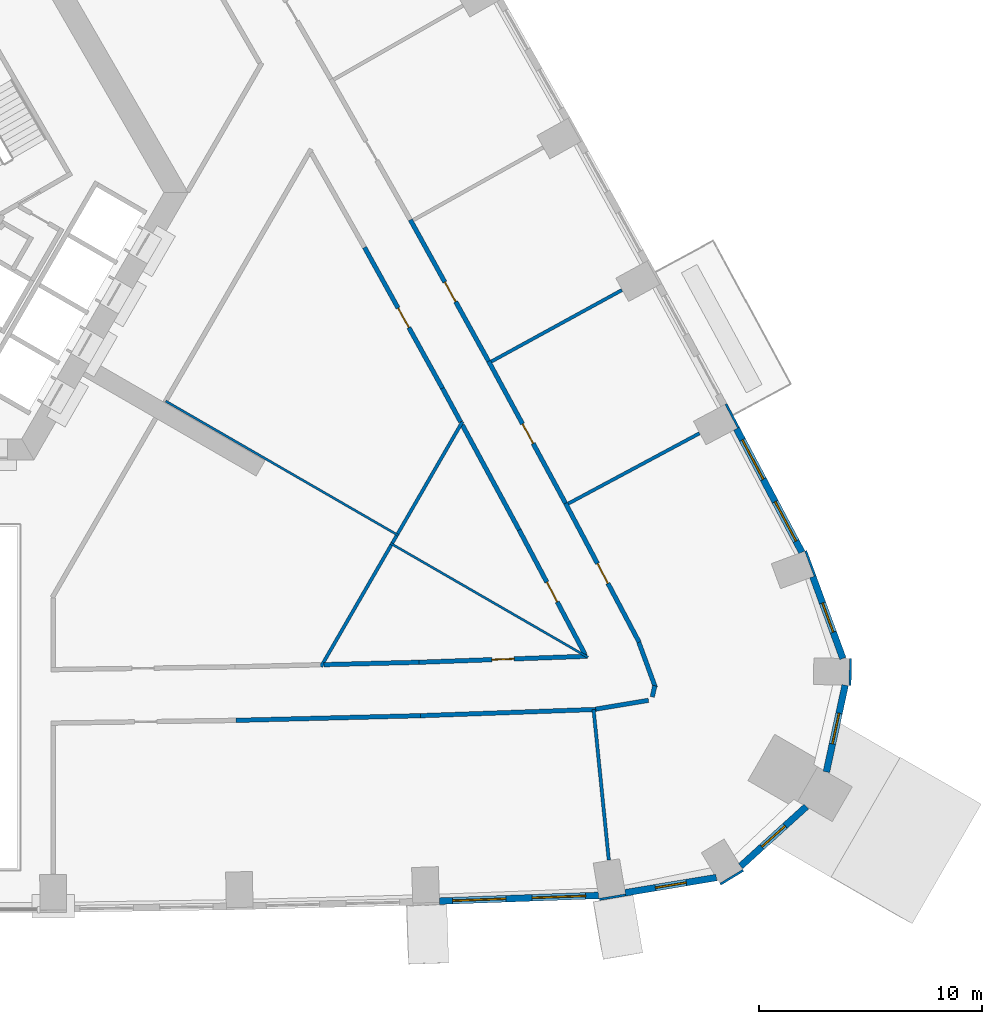
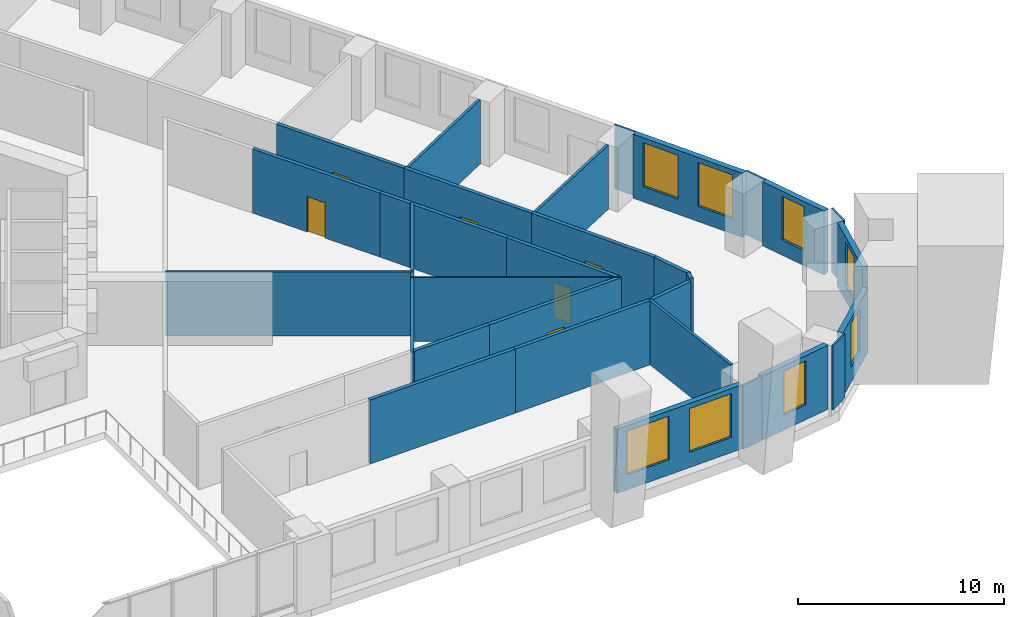
# One storey, part 10 of 17: 33 walls, 8 windows, 6 doors, 14 openings.
"""IFC4 building model written with IfcOpenShell, lengths in metres."""

from ifc_helpers import new_model, si_unit, direction, frame, frame_2d, origin, place, context, subcontext, project, spatial, rectangle, extrude, material, layer, layer_set, type_object, element, fill, save


model = new_model("IFC4")

# Units and contexts
model_context = context("Model", 3, precision=1e-05, world=origin(), true_north=direction((0.0, 1.0)))
body_context = subcontext(model_context, "Body", "Model", "MODEL_VIEW")
ifc_project = project(units=[si_unit("LENGTHUNIT", "METRE"), si_unit("AREAUNIT", "SQUARE_METRE"), si_unit("VOLUMEUNIT", "CUBIC_METRE"), si_unit("PLANEANGLEUNIT", "RADIAN"), si_unit("MASSUNIT", "GRAM", prefix="KILO")], contexts=[model_context])

# Site, building, storey
site_placement = place(None, origin())
site = spatial("IfcSite", under=ifc_project, at=site_placement, CompositionType="ELEMENT")
building_placement = place(site_placement, origin())
building = spatial("IfcBuilding", under=site, at=building_placement, Name="Entoto Arch Interchange Tower", CompositionType="ELEMENT")
storey_placement = place(building_placement, frame((0.0, 0.0, 72.800048828125)))
storey = spatial("IfcBuildingStorey", under=building, at=storey_placement, Name="L15", CompositionType="ELEMENT", Elevation=72.800048828125)

# Walls
ifc_material_1 = material(Name="Gypsum board partition on steel studs", Category="steel")
ifc_layer_1 = layer(ifc_material_1, 0.10009765625)
ifc_layer_set_1 = layer_set([ifc_layer_1], Name="Gypsum board partition on steel studs")
wall_type_1 = type_object("IfcWallType", Name="PARTITION 100", PredefinedType="PARTITIONING", material=ifc_layer_set_1)
wall_1_placement = place(storey_placement, frame((12.843017578125, -6.85498046875, 0.0), z_axis=(0.0, 0.0, 1.0), x_axis=(0.866054959007, -0.499948805358, 0.0)))
element("IfcWall", 1, at=wall_1_placement, inside=storey, type_object=wall_type_1, Name="wall:L15:p127", PredefinedType="PARTITIONING", context=body_context, shape_type="SweptSolid", body=[
    extrude(rectangle(XDim=12.075439453125, YDim=0.10009765625, at=frame_2d((6.03759765625, 0.0))), origin(), (0.0, 0.0, 1.0), 3.800048828125),
])
wall_2_placement = place(storey_placement, frame((22.928955078125, -13.235107421875, 0.0), z_axis=(0.0, 0.0, 1.0), x_axis=(0.866003823807, -0.500037375755, 0.0)))
element("IfcWall", 2, at=wall_2_placement, inside=storey, type_object=wall_type_1, Name="wall:L15:p131", PredefinedType="PARTITIONING", context=body_context, shape_type="SweptSolid", body=[
    extrude(rectangle(XDim=10.244873046875, YDim=0.10009765625, at=frame_2d((5.12255859375, 0.0))), origin(), (0.0, 0.0, 1.0), 3.800048828125),
])
ifc_layer_2 = layer(ifc_material_1, 0.14990234375)
ifc_layer_set_2 = layer_set([ifc_layer_2], Name="Gypsum board partition on steel studs")
wall_type_2 = type_object("IfcWallType", Name="PARTITION 150", PredefinedType="PARTITIONING", material=ifc_layer_set_2)
wall_3_placement = place(storey_placement, frame((22.968994140625, -13.31591796875, 0.0), z_axis=(0.0, 0.0, 1.0), x_axis=(-0.500007312183, -0.866021182053, 0.0)))
element("IfcWall", 3, at=wall_3_placement, inside=storey, type_object=wall_type_2, Name="wall:L15:p128", PredefinedType="PARTITIONING", context=body_context, shape_type="SweptSolid", body=[
    extrude(rectangle(XDim=6.30615234375, YDim=0.14990234375, at=frame_2d((3.153076171875, 0.0))), origin(), (0.0, 0.0, 1.0), 3.800048828125),
])
wall_4_placement = place(storey_placement, frame((23.2109375, -12.89794921875, 0.0), z_axis=(0.0, 0.0, 1.0), x_axis=(-0.501488909663, -0.865164073159, 0.0)))
element("IfcWall", 4, at=wall_4_placement, inside=storey, type_object=wall_type_2, Name="wall:L15:p129", PredefinedType="PARTITIONING", context=body_context, shape_type="SweptSolid", body=[
    extrude(rectangle(XDim=0.382568359375, YDim=0.14990234375, at=frame_2d((0.19140625, 0.0))), origin(), (0.0, 0.0, 1.0), 3.800048828125),
])
wall_5_placement = place(storey_placement, frame((26.172119140625, -7.76806640625, 0.0), z_axis=(0.0, 0.0, 1.0), x_axis=(-0.499945058274, -0.866057122081, 0.0)))
element("IfcWall", 5, at=wall_5_placement, inside=storey, type_object=wall_type_2, Name="wall:L15:p130", PredefinedType="PARTITIONING", context=body_context, shape_type="SweptSolid", body=[
    extrude(rectangle(XDim=5.822998046875, YDim=0.14990234375, at=frame_2d((2.91162109375, 0.0))), origin(), (0.0, 0.0, 1.0), 3.800048828125),
])
wall_6_placement = place(storey_placement, frame((32.053955078125, -20.701904296875, 0.0), z_axis=(0.0, 0.0, 1.0), x_axis=(0.100681219953, -0.994918736354, 0.0)))
element("IfcWall", 6, at=wall_6_placement, inside=storey, type_object=wall_type_2, Name="wall:L15:p132", PredefinedType="PARTITIONING", context=body_context, shape_type="SweptSolid", body=[
    extrude(rectangle(XDim=6.79443359375, YDim=0.14990234375, at=frame_2d((3.397216796875, 0.0))), origin(), (0.0, 0.0, 1.0), 3.800048828125),
])
wall_7_placement = place(storey_placement, frame((30.916015625, -11.4580078125, 0.0), z_axis=(0.0, 0.0, 1.0), x_axis=(0.881525059883, 0.472137235132, 0.0)))
element("IfcWall", 7, at=wall_7_placement, inside=storey, type_object=wall_type_2, Name="wall:L15:p133", PredefinedType="PARTITIONING", context=body_context, shape_type="SweptSolid", body=[
    extrude(rectangle(XDim=6.680419921875, YDim=0.14990234375, at=frame_2d((3.34033203125, 0.0))), origin(), (0.0, 0.0, 1.0), 3.800048828125),
])
wall_8_placement = place(storey_placement, frame((27.462890625, -5.080078125, 0.0), z_axis=(0.0, 0.0, 1.0), x_axis=(0.877227104806, 0.480075625911, 0.0)))
element("IfcWall", 8, at=wall_8_placement, inside=storey, type_object=wall_type_2, Name="wall:L15:p134", PredefinedType="PARTITIONING", context=body_context, shape_type="SweptSolid", body=[
    extrude(rectangle(XDim=6.68017578125, YDim=0.14990234375, at=frame_2d((3.340087890625, 0.0))), origin(), (0.0, 0.0, 1.0), 3.800048828125),
])
ifc_layer_3 = layer(ifc_material_1, 0.199951171875)
ifc_layer_set_3 = layer_set([ifc_layer_3], Name="Gypsum board partition on steel studs")
wall_type_3 = type_object("IfcWallType", Name="PARTITION 200", PredefinedType="PARTITIONING", material=ifc_layer_set_3)
wall_9_placement = place(storey_placement, frame((26.0859375, -7.7890625, 0.0), z_axis=(0.0, 0.0, 1.0), x_axis=(-0.475856505621, 0.879522930945, 0.0)))
element("IfcWall", 9, at=wall_9_placement, inside=storey, type_object=wall_type_3, Name="wall:L15:p022", PredefinedType="PARTITIONING", context=body_context, shape_type="SweptSolid", body=[
    extrude(rectangle(XDim=1.714599609375, YDim=0.199951171875, at=frame_2d((0.857421875, 0.0))), origin(), (0.0, 0.0, 1.0), 3.800048828125),
])

# Wall, opening, door
wall_10_placement = place(storey_placement, frame((25.27001953125, -6.281005859375, 0.0), z_axis=(0.0, 0.0, 1.0), x_axis=(-0.484062485326, 0.875033433818, 0.0)))
wall_10 = element("IfcWall", 10, at=wall_10_placement, inside=storey, type_object=wall_type_3, Name="wall:L15:p023", PredefinedType="PARTITIONING", context=body_context, shape_type="SweptSolid", body=[
    extrude(rectangle(XDim=7.23046875, YDim=0.199951171875, at=frame_2d((3.615234375, 0.0))), origin(), (0.0, 0.0, 1.0), 3.800048828125),
])
opening_1_placement = place(wall_10_placement, frame((3.114990234375, 0.0, 0.0)))
opening_1 = element("IfcOpeningElement", 11, at=opening_1_placement, cuts=wall_10, Name="Opening L15-D21", PredefinedType="OPENING", context=body_context, shape_type="SweptSolid", body=[
    extrude(rectangle(XDim=1.0, YDim=2.10009765625, at=frame_2d((0.5, 1.050048828125))), frame((0.0, 0.10986328125, 0.0), z_axis=(0.0, -1.0, 0.0), x_axis=(1.0, 0.0, 0.0)), (0.0, 0.0, 1.0), 0.219970703125),
])
ifc_material_2 = material(Name="Timber door leaf in Steel S235 frame", Category="steel")
door_type = type_object("IfcDoorType", Name="DOOR DS-10 1000x2100", OperationType="SINGLE_SWING_LEFT", PredefinedType="DOOR", material=ifc_material_2)
door_1_placement = place(opening_1_placement, origin())
door_1 = element("IfcDoor", 12, at=door_1_placement, inside=storey, type_object=door_type, Name="door:L15:21", OperationType="SINGLE_SWING_RIGHT", OverallHeight=2.10009765625, OverallWidth=1.0, PredefinedType="DOOR", context=body_context, shape_type="SweptSolid", body=[
    extrude(rectangle(XDim=1.0, YDim=2.10009765625, at=frame_2d((0.5, 1.050048828125))), frame((0.0, 0.02490234375, 0.0), z_axis=(0.0, -1.0, 0.0), x_axis=(1.0, 0.0, 0.0)), (0.0, 0.0, 1.0), 0.050048828125),
])
fill(opening_1, door_1)

# Wall
wall_11_placement = place(storey_placement, frame((19.94091796875, -18.68896484375, 0.0), z_axis=(0.0, 0.0, 1.0), x_axis=(0.999680388185, 0.025280852018, 0.0)))
element("IfcWall", 13, at=wall_11_placement, inside=storey, type_object=wall_type_3, Name="wall:L15:p025", PredefinedType="PARTITIONING", context=body_context, shape_type="SweptSolid", body=[
    extrude(rectangle(XDim=4.2685546875, YDim=0.199951171875, at=frame_2d((2.13427734375, 0.0))), origin(), (0.0, 0.0, 1.0), 3.800048828125),
])

# Wall, opening, door
wall_12_placement = place(storey_placement, frame((24.2080078125, -18.5810546875, 0.0), z_axis=(0.0, 0.0, 1.0), x_axis=(0.99936260762, 0.035698438215, 0.0)))
wall_12 = element("IfcWall", 14, at=wall_12_placement, inside=storey, type_object=wall_type_3, Name="wall:L15:p026", PredefinedType="PARTITIONING", context=body_context, shape_type="SweptSolid", body=[
    extrude(rectangle(XDim=7.56396484375, YDim=0.199951171875, at=frame_2d((3.781982421875, 0.0))), origin(), (0.0, 0.0, 1.0), 3.800048828125),
])
opening_2_placement = place(wall_12_placement, frame((3.281982421875, 0.0, 0.0)))
opening_2 = element("IfcOpeningElement", 15, at=opening_2_placement, cuts=wall_12, Name="Opening L15-D22", PredefinedType="OPENING", context=body_context, shape_type="SweptSolid", body=[
    extrude(rectangle(XDim=1.0, YDim=2.10009765625, at=frame_2d((0.5, 1.050048828125))), frame((0.0, 0.10986328125, 0.0), z_axis=(0.0, -1.0, 0.0), x_axis=(1.0, 0.0, 0.0)), (0.0, 0.0, 1.0), 0.219970703125),
])
door_2_placement = place(opening_2_placement, origin())
door_2 = element("IfcDoor", 16, at=door_2_placement, inside=storey, type_object=door_type, Name="door:L15:22", OperationType="SINGLE_SWING_LEFT", OverallHeight=2.10009765625, OverallWidth=1.0, PredefinedType="DOOR", context=body_context, shape_type="SweptSolid", body=[
    extrude(rectangle(XDim=1.0, YDim=2.10009765625, at=frame_2d((0.5, 1.050048828125))), frame((0.0, 0.02490234375, 0.0), z_axis=(0.0, -1.0, 0.0), x_axis=(1.0, 0.0, 0.0)), (0.0, 0.0, 1.0), 0.050048828125),
])
fill(opening_2, door_2)

wall_13_placement = place(storey_placement, frame((31.66796875, -18.218994140625, 0.0), z_axis=(0.0, 0.0, 1.0), x_axis=(-0.468058220157, 0.883697630722, 0.0)))
wall_13 = element("IfcWall", 17, at=wall_13_placement, inside=storey, type_object=wall_type_3, Name="wall:L15:p027", PredefinedType="PARTITIONING", context=body_context, shape_type="SweptSolid", body=[
    extrude(rectangle(XDim=6.315673828125, YDim=0.199951171875, at=frame_2d((3.15771484375, 0.0))), origin(), (0.0, 0.0, 1.0), 3.800048828125),
])
opening_3_placement = place(wall_13_placement, frame((2.657958984375, 0.0, 0.0)))
opening_3 = element("IfcOpeningElement", 18, at=opening_3_placement, cuts=wall_13, Name="Opening L15-D23", PredefinedType="OPENING", context=body_context, shape_type="SweptSolid", body=[
    extrude(rectangle(XDim=1.0, YDim=2.10009765625, at=frame_2d((0.5, 1.050048828125))), frame((0.0, 0.10986328125, 0.0), z_axis=(0.0, -1.0, 0.0), x_axis=(1.0, 0.0, 0.0)), (0.0, 0.0, 1.0), 0.219970703125),
])
door_3_placement = place(opening_3_placement, origin())
door_3 = element("IfcDoor", 19, at=door_3_placement, inside=storey, type_object=door_type, Name="door:L15:23", OperationType="SINGLE_SWING_LEFT", OverallHeight=2.10009765625, OverallWidth=1.0, PredefinedType="DOOR", context=body_context, shape_type="SweptSolid", body=[
    extrude(rectangle(XDim=1.0, YDim=2.10009765625, at=frame_2d((0.5, 1.050048828125))), frame((0.0, 0.02490234375, 0.0), z_axis=(0.0, -1.0, 0.0), x_axis=(1.0, 0.0, 0.0)), (0.0, 0.0, 1.0), 0.050048828125),
])
fill(opening_3, door_3)

# Walls
wall_14_placement = place(storey_placement, frame((28.7119140625, -12.637939453125, 0.0), z_axis=(0.0, 0.0, 1.0), x_axis=(-0.476123321927, 0.8793785205, 0.0)))
element("IfcWall", 20, at=wall_14_placement, inside=storey, type_object=wall_type_3, Name="wall:L15:p028", PredefinedType="PARTITIONING", context=body_context, shape_type="SweptSolid", body=[
    extrude(rectangle(XDim=5.364013671875, YDim=0.199951171875, at=frame_2d((2.68212890625, 0.0))), origin(), (0.0, 0.0, 1.0), 3.800048828125),
])
wall_15_placement = place(storey_placement, frame((32.154052734375, -20.698974609375, 0.0), z_axis=(0.0, 0.0, 1.0), x_axis=(-0.999363643656, -0.035669423029, 0.0)))
element("IfcWall", 21, at=wall_15_placement, inside=storey, type_object=wall_type_3, Name="wall:L15:p038", PredefinedType="PARTITIONING", context=body_context, shape_type="SweptSolid", body=[
    extrude(rectangle(XDim=7.878173828125, YDim=0.199951171875, at=frame_2d((3.93896484375, 0.0))), origin(), (0.0, 0.0, 1.0), 3.800048828125),
])
wall_16_placement = place(storey_placement, frame((24.281005859375, -20.97998046875, 0.0), z_axis=(0.0, 0.0, 1.0), x_axis=(-0.999681784235, -0.025225587575, 0.0)))
element("IfcWall", 22, at=wall_16_placement, inside=storey, type_object=wall_type_3, Name="wall:L15:p039", PredefinedType="PARTITIONING", context=body_context, shape_type="SweptSolid", body=[
    extrude(rectangle(XDim=8.28466796875, YDim=0.199951171875, at=frame_2d((4.142333984375, 0.0))), origin(), (0.0, 0.0, 1.0), 3.800048828125),
])

# Wall, opening, door
wall_17_placement = place(storey_placement, frame((30.79296875, -11.43896484375, 0.0), z_axis=(0.0, 0.0, 1.0), x_axis=(0.468043291185, -0.883705537822, 0.0)))
wall_17 = element("IfcWall", 23, at=wall_17_placement, inside=storey, type_object=wall_type_3, Name="wall:L15:p041", PredefinedType="PARTITIONING", context=body_context, shape_type="SweptSolid", body=[
    extrude(rectangle(XDim=7.06591796875, YDim=0.199951171875, at=frame_2d((3.532958984375, 0.0))), origin(), (0.0, 0.0, 1.0), 3.800048828125),
])
opening_4_placement = place(wall_17_placement, frame((3.071044921875, 0.0, 0.0)))
opening_4 = element("IfcOpeningElement", 24, at=opening_4_placement, cuts=wall_17, Name="Opening L15-D02", PredefinedType="OPENING", context=body_context, shape_type="SweptSolid", body=[
    extrude(rectangle(XDim=1.0, YDim=2.10009765625, at=frame_2d((0.5, 1.050048828125))), frame((0.0, 0.10986328125, 0.0), z_axis=(0.0, -1.0, 0.0), x_axis=(1.0, 0.0, 0.0)), (0.0, 0.0, 1.0), 0.219970703125),
])
door_4_placement = place(opening_4_placement, origin())
door_4 = element("IfcDoor", 25, at=door_4_placement, inside=storey, type_object=door_type, Name="door:L15:02", OperationType="SINGLE_SWING_RIGHT", OverallHeight=2.10009765625, OverallWidth=1.0, PredefinedType="DOOR", context=body_context, shape_type="SweptSolid", body=[
    extrude(rectangle(XDim=1.0, YDim=2.10009765625, at=frame_2d((0.5, 1.050048828125))), frame((0.0, 0.02490234375, 0.0), z_axis=(0.0, -1.0, 0.0), x_axis=(1.0, 0.0, 0.0)), (0.0, 0.0, 1.0), 0.050048828125),
])
fill(opening_4, door_4)

# Walls
wall_18_placement = place(storey_placement, frame((34.087890625, -17.68896484375, 0.0), z_axis=(0.0, 0.0, 1.0), x_axis=(0.34459875492, -0.938750072228, 0.0)))
element("IfcWall", 26, at=wall_18_placement, inside=storey, type_object=wall_type_3, Name="wall:L15:p042", PredefinedType="PARTITIONING", context=body_context, shape_type="SweptSolid", body=[
    extrude(rectangle(XDim=2.16796875, YDim=0.199951171875, at=frame_2d((1.083984375, 0.0))), origin(), (0.0, 0.0, 1.0), 3.800048828125),
])
wall_19_placement = place(storey_placement, frame((34.801025390625, -19.631103515625, 0.0), z_axis=(0.0, 0.0, 1.0), x_axis=(-0.212292845768, -0.977206092713, 0.0)))
element("IfcWall", 27, at=wall_19_placement, inside=storey, type_object=wall_type_3, Name="wall:L15:p043", PredefinedType="PARTITIONING", context=body_context, shape_type="SweptSolid", body=[
    extrude(rectangle(XDim=0.5185546875, YDim=0.199951171875, at=frame_2d((0.25927734375, 0.0))), origin(), (0.0, 0.0, 1.0), 3.800048828125),
])
wall_20_placement = place(storey_placement, frame((34.51806640625, -20.2890625, 0.0), z_axis=(0.0, 0.0, 1.0), x_axis=(-0.986214562432, -0.165471559025, 0.0)))
element("IfcWall", 28, at=wall_20_placement, inside=storey, type_object=wall_type_3, Name="wall:L15:p044", PredefinedType="PARTITIONING", context=body_context, shape_type="SweptSolid", body=[
    extrude(rectangle(XDim=2.39892578125, YDim=0.199951171875, at=frame_2d((1.199462890625, 0.0))), origin(), (0.0, 0.0, 1.0), 3.800048828125),
])

# Wall, opening, door
wall_21_placement = place(storey_placement, frame((27.339111328125, -5.06201171875, 0.0), z_axis=(0.0, 0.0, 1.0), x_axis=(0.476248444599, -0.879310763619, 0.0)))
wall_21 = element("IfcWall", 29, at=wall_21_placement, inside=storey, type_object=wall_type_3, Name="wall:L15:p045", PredefinedType="PARTITIONING", context=body_context, shape_type="SweptSolid", body=[
    extrude(rectangle(XDim=7.252197265625, YDim=0.199951171875, at=frame_2d((3.6259765625, 0.0))), origin(), (0.0, 0.0, 1.0), 3.800048828125),
])
opening_5_placement = place(wall_21_placement, frame((3.200927734375, 0.0, 0.0)))
opening_5 = element("IfcOpeningElement", 30, at=opening_5_placement, cuts=wall_21, Name="Opening L15-D03", PredefinedType="OPENING", context=body_context, shape_type="SweptSolid", body=[
    extrude(rectangle(XDim=1.0, YDim=2.10009765625, at=frame_2d((0.5, 1.050048828125))), frame((0.0, 0.10986328125, 0.0), z_axis=(0.0, -1.0, 0.0), x_axis=(1.0, 0.0, 0.0)), (0.0, 0.0, 1.0), 0.219970703125),
])
door_5_placement = place(opening_5_placement, origin())
door_5 = element("IfcDoor", 31, at=door_5_placement, inside=storey, type_object=door_type, Name="door:L15:03", OperationType="SINGLE_SWING_LEFT", OverallHeight=2.10009765625, OverallWidth=1.0, PredefinedType="DOOR", context=body_context, shape_type="SweptSolid", body=[
    extrude(rectangle(XDim=1.0, YDim=2.10009765625, at=frame_2d((0.5, 1.050048828125))), frame((0.0, 0.02490234375, 0.0), z_axis=(0.0, -1.0, 0.0), x_axis=(1.0, 0.0, 0.0)), (0.0, 0.0, 1.0), 0.050048828125),
])
fill(opening_5, door_5)

wall_22_placement = place(storey_placement, frame((23.827880859375, 1.282958984375, 0.0), z_axis=(0.0, 0.0, 1.0), x_axis=(0.484064127728, -0.875032525251, 0.0)))
wall_22 = element("IfcWall", 32, at=wall_22_placement, inside=storey, type_object=wall_type_3, Name="wall:L15:p046", PredefinedType="PARTITIONING", context=body_context, shape_type="SweptSolid", body=[
    extrude(rectangle(XDim=7.251220703125, YDim=0.199951171875, at=frame_2d((3.62548828125, 0.0))), origin(), (0.0, 0.0, 1.0), 3.800048828125),
])
opening_6_placement = place(wall_22_placement, frame((3.200927734375, 0.0, 0.0)))
opening_6 = element("IfcOpeningElement", 33, at=opening_6_placement, cuts=wall_22, Name="Opening L15-D04", PredefinedType="OPENING", context=body_context, shape_type="SweptSolid", body=[
    extrude(rectangle(XDim=1.0, YDim=2.10009765625, at=frame_2d((0.5, 1.050048828125))), frame((0.0, 0.10986328125, 0.0), z_axis=(0.0, -1.0, 0.0), x_axis=(1.0, 0.0, 0.0)), (0.0, 0.0, 1.0), 0.219970703125),
])
door_6_placement = place(opening_6_placement, origin())
door_6 = element("IfcDoor", 34, at=door_6_placement, inside=storey, type_object=door_type, Name="door:L15:04", OperationType="SINGLE_SWING_LEFT", OverallHeight=2.10009765625, OverallWidth=1.0, PredefinedType="DOOR", context=body_context, shape_type="SweptSolid", body=[
    extrude(rectangle(XDim=1.0, YDim=2.10009765625, at=frame_2d((0.5, 1.050048828125))), frame((0.0, 0.02490234375, 0.0), z_axis=(0.0, -1.0, 0.0), x_axis=(1.0, 0.0, 0.0)), (0.0, 0.0, 1.0), 0.050048828125),
])
fill(opening_6, door_6)

# Wall, openings, windows
ifc_material_3 = material(Name="Welded tuff (ignimbrite) cladding, warm buff", Category="masonry")
ifc_layer_4 = layer(ifc_material_3, 0.300048828125)
ifc_layer_set_4 = layer_set([ifc_layer_4], Name="Welded tuff (ignimbrite) cladding, warm buff")
wall_type_4 = type_object("IfcWallType", Name="STONE INFILL WALL 300", PredefinedType="STANDARD", material=ifc_layer_set_4)
wall_23_placement = place(storey_placement, frame((25.134033203125, -29.304931640625, 0.0), z_axis=(0.0, 0.0, 1.0), x_axis=(0.999359981296, 0.035771885388, 0.0)))
wall_23 = element("IfcWall", 35, at=wall_23_placement, inside=storey, type_object=wall_type_4, Name="Facade wall S-07 L15", PredefinedType="STANDARD", context=body_context, shape_type="SweptSolid", body=[
    extrude(rectangle(XDim=7.152587890625, YDim=0.300048828125, at=frame_2d((3.576171875, 0.0))), origin(), (0.0, 0.0, 1.0), 3.800048828125),
])
opening_7_placement = place(wall_23_placement, frame((0.587890625, 0.0, 0.89990234375)))
opening_7 = element("IfcOpeningElement", 36, at=opening_7_placement, cuts=wall_23, Name="Opening WO-A", PredefinedType="OPENING", context=body_context, shape_type="SweptSolid", body=[
    extrude(rectangle(XDim=2.39990234375, YDim=2.60009765625, at=frame_2d((1.199951171875, 1.300048828125))), frame((0.0, 0.16015625, 0.0), z_axis=(0.0, -1.0, 0.0), x_axis=(1.0, 0.0, 0.0)), (0.0, 0.0, 1.0), 0.320068359375),
])
opening_8_placement = place(wall_23_placement, frame((4.1640625, 0.0, 0.89990234375)))
opening_8 = element("IfcOpeningElement", 37, at=opening_8_placement, cuts=wall_23, Name="Opening WO-A", PredefinedType="OPENING", context=body_context, shape_type="SweptSolid", body=[
    extrude(rectangle(XDim=2.39990234375, YDim=2.60009765625, at=frame_2d((1.199951171875, 1.300048828125))), frame((0.0, 0.16015625, 0.0), z_axis=(0.0, -1.0, 0.0), x_axis=(1.0, 0.0, 0.0)), (0.0, 0.0, 1.0), 0.320068359375),
])
ifc_material_4 = material(Name="Clear glass, low-e double glazed", Category="glass")
window_type_1 = type_object("IfcWindowType", Name="WINDOW WO-A 2400x2600", PartitioningType="DOUBLE_PANEL_VERTICAL", PredefinedType="WINDOW", material=ifc_material_4)
window_1_placement = place(opening_7_placement, origin())
window_1 = element("IfcWindow", 38, at=window_1_placement, inside=storey, type_object=window_type_1, Name="Window WO-A S-07 L15", OverallHeight=2.60009765625, OverallWidth=2.39990234375, PartitioningType="SINGLE_PANEL", PredefinedType="WINDOW", context=body_context, shape_type="SweptSolid", body=[
    extrude(rectangle(XDim=2.39990234375, YDim=2.60009765625, at=frame_2d((1.199951171875, 1.300048828125))), frame((0.0, 0.030029296875, 0.0), z_axis=(0.0, -1.0, 0.0), x_axis=(1.0, 0.0, 0.0)), (0.0, 0.0, 1.0), 0.06005859375),
])
fill(opening_7, window_1)
window_2_placement = place(opening_8_placement, origin())
window_2 = element("IfcWindow", 39, at=window_2_placement, inside=storey, type_object=window_type_1, Name="Window WO-A S-07 L15", OverallHeight=2.60009765625, OverallWidth=2.39990234375, PartitioningType="SINGLE_PANEL", PredefinedType="WINDOW", context=body_context, shape_type="SweptSolid", body=[
    extrude(rectangle(XDim=2.39990234375, YDim=2.60009765625, at=frame_2d((1.199951171875, 1.300048828125))), frame((0.0, 0.030029296875, 0.0), z_axis=(0.0, -1.0, 0.0), x_axis=(1.0, 0.0, 0.0)), (0.0, 0.0, 1.0), 0.06005859375),
])
fill(opening_8, window_2)

# Wall, opening, window
wall_24_placement = place(storey_placement, frame((33.47705078125, -28.929931640625, 0.0), z_axis=(0.0, 0.0, 1.0), x_axis=(0.986295041399, 0.164991185557, 0.0)))
wall_24 = element("IfcWall", 40, at=wall_24_placement, inside=storey, type_object=wall_type_4, Name="Facade wall SE-01 L15", PredefinedType="STANDARD", context=body_context, shape_type="SweptSolid", body=[
    extrude(rectangle(XDim=4.144775390625, YDim=0.300048828125, at=frame_2d((2.072265625, 0.0))), origin(), (0.0, 0.0, 1.0), 3.800048828125),
])
opening_9_placement = place(wall_24_placement, frame((1.3720703125, 0.0, 0.89990234375)))
opening_9 = element("IfcOpeningElement", 41, at=opening_9_placement, cuts=wall_24, Name="Opening WO-B", PredefinedType="OPENING", context=body_context, shape_type="SweptSolid", body=[
    extrude(rectangle(XDim=1.39990234375, YDim=2.60009765625, at=frame_2d((0.699951171875, 1.300048828125))), frame((0.0, 0.16015625, 0.0), z_axis=(0.0, -1.0, 0.0), x_axis=(1.0, 0.0, 0.0)), (0.0, 0.0, 1.0), 0.320068359375),
])
window_type_2 = type_object("IfcWindowType", Name="WINDOW WO-B 1400x2600", PartitioningType="DOUBLE_PANEL_VERTICAL", PredefinedType="WINDOW", material=ifc_material_4)
window_3_placement = place(opening_9_placement, origin())
window_3 = element("IfcWindow", 42, at=window_3_placement, inside=storey, type_object=window_type_2, Name="Window WO-B SE-01 L15", OverallHeight=2.60009765625, OverallWidth=1.39990234375, PartitioningType="SINGLE_PANEL", PredefinedType="WINDOW", context=body_context, shape_type="SweptSolid", body=[
    extrude(rectangle(XDim=1.39990234375, YDim=2.60009765625, at=frame_2d((0.699951171875, 1.300048828125))), frame((0.0, 0.030029296875, 0.0), z_axis=(0.0, -1.0, 0.0), x_axis=(1.0, 0.0, 0.0)), (0.0, 0.0, 1.0), 0.06005859375),
])
fill(opening_9, window_3)

wall_25_placement = place(storey_placement, frame((38.656982421875, -27.736083984375, 0.0), z_axis=(0.0, 0.0, 1.0), x_axis=(0.740547309915, 0.6720042275, 0.0)))
wall_25 = element("IfcWall", 43, at=wall_25_placement, inside=storey, type_object=wall_type_4, Name="Facade wall SE-02 L15", PredefinedType="STANDARD", context=body_context, shape_type="SweptSolid", body=[
    extrude(rectangle(XDim=3.982177734375, YDim=0.300048828125, at=frame_2d((1.9912109375, 0.0))), origin(), (0.0, 0.0, 1.0), 3.800048828125),
])
opening_10_placement = place(wall_25_placement, frame((1.291015625, 0.0, 0.89990234375)))
opening_10 = element("IfcOpeningElement", 44, at=opening_10_placement, cuts=wall_25, Name="Opening WO-B", PredefinedType="OPENING", context=body_context, shape_type="SweptSolid", body=[
    extrude(rectangle(XDim=1.39990234375, YDim=2.60009765625, at=frame_2d((0.699951171875, 1.300048828125))), frame((0.0, 0.16015625, 0.0), z_axis=(0.0, -1.0, 0.0), x_axis=(1.0, 0.0, 0.0)), (0.0, 0.0, 1.0), 0.320068359375),
])
window_4_placement = place(opening_10_placement, origin())
window_4 = element("IfcWindow", 45, at=window_4_placement, inside=storey, type_object=window_type_2, Name="Window WO-B SE-02 L15", OverallHeight=2.60009765625, OverallWidth=1.39990234375, PartitioningType="SINGLE_PANEL", PredefinedType="WINDOW", context=body_context, shape_type="SweptSolid", body=[
    extrude(rectangle(XDim=1.39990234375, YDim=2.60009765625, at=frame_2d((0.699951171875, 1.300048828125))), frame((0.0, 0.030029296875, 0.0), z_axis=(0.0, -1.0, 0.0), x_axis=(1.0, 0.0, 0.0)), (0.0, 0.0, 1.0), 0.06005859375),
])
fill(opening_10, window_4)

wall_26_placement = place(storey_placement, frame((42.506103515625, -23.5029296875, 0.0), z_axis=(0.0, 0.0, 1.0), x_axis=(0.211701618364, 0.977334346466, 0.0)))
wall_26 = element("IfcWall", 46, at=wall_26_placement, inside=storey, type_object=wall_type_4, Name="Facade wall SE-03 L15", PredefinedType="STANDARD", context=body_context, shape_type="SweptSolid", body=[
    extrude(rectangle(XDim=3.982177734375, YDim=0.300048828125, at=frame_2d((1.9912109375, 0.0))), origin(), (0.0, 0.0, 1.0), 3.800048828125),
])
opening_11_placement = place(wall_26_placement, frame((1.291015625, 0.0, 0.89990234375)))
opening_11 = element("IfcOpeningElement", 47, at=opening_11_placement, cuts=wall_26, Name="Opening WO-B", PredefinedType="OPENING", context=body_context, shape_type="SweptSolid", body=[
    extrude(rectangle(XDim=1.39990234375, YDim=2.60009765625, at=frame_2d((0.699951171875, 1.300048828125))), frame((0.0, 0.16015625, 0.0), z_axis=(0.0, -1.0, 0.0), x_axis=(1.0, 0.0, 0.0)), (0.0, 0.0, 1.0), 0.320068359375),
])
window_5_placement = place(opening_11_placement, origin())
window_5 = element("IfcWindow", 48, at=window_5_placement, inside=storey, type_object=window_type_2, Name="Window WO-B SE-03 L15", OverallHeight=2.60009765625, OverallWidth=1.39990234375, PartitioningType="SINGLE_PANEL", PredefinedType="WINDOW", context=body_context, shape_type="SweptSolid", body=[
    extrude(rectangle(XDim=1.39990234375, YDim=2.60009765625, at=frame_2d((0.699951171875, 1.300048828125))), frame((0.0, 0.030029296875, 0.0), z_axis=(0.0, -1.0, 0.0), x_axis=(1.0, 0.0, 0.0)), (0.0, 0.0, 1.0), 0.06005859375),
])
fill(opening_11, window_5)

wall_27_placement = place(storey_placement, frame((43.248046875, -18.409912109375, 0.0), z_axis=(0.0, 0.0, 1.0), x_axis=(-0.344819708397, 0.938668934556, 0.0)))
wall_27 = element("IfcWall", 49, at=wall_27_placement, inside=storey, type_object=wall_type_4, Name="Facade wall SE-04 L15", PredefinedType="STANDARD", context=body_context, shape_type="SweptSolid", body=[
    extrude(rectangle(XDim=3.90966796875, YDim=0.300048828125, at=frame_2d((1.954833984375, 0.0))), origin(), (0.0, 0.0, 1.0), 3.800048828125),
])
opening_12_placement = place(wall_27_placement, frame((1.2548828125, 0.0, 0.89990234375)))
opening_12 = element("IfcOpeningElement", 50, at=opening_12_placement, cuts=wall_27, Name="Opening WO-B", PredefinedType="OPENING", context=body_context, shape_type="SweptSolid", body=[
    extrude(rectangle(XDim=1.39990234375, YDim=2.60009765625, at=frame_2d((0.699951171875, 1.300048828125))), frame((0.0, 0.16015625, 0.0), z_axis=(0.0, -1.0, 0.0), x_axis=(1.0, 0.0, 0.0)), (0.0, 0.0, 1.0), 0.320068359375),
])
window_6_placement = place(opening_12_placement, origin())
window_6 = element("IfcWindow", 51, at=window_6_placement, inside=storey, type_object=window_type_2, Name="Window WO-B SE-04 L15", OverallHeight=2.60009765625, OverallWidth=1.39990234375, PartitioningType="SINGLE_PANEL", PredefinedType="WINDOW", context=body_context, shape_type="SweptSolid", body=[
    extrude(rectangle(XDim=1.39990234375, YDim=2.60009765625, at=frame_2d((0.699951171875, 1.300048828125))), frame((0.0, 0.030029296875, 0.0), z_axis=(0.0, -1.0, 0.0), x_axis=(1.0, 0.0, 0.0)), (0.0, 0.0, 1.0), 0.06005859375),
])
fill(opening_12, window_6)

# Wall, openings, windows
wall_28_placement = place(storey_placement, frame((41.408935546875, -13.64404296875, 0.0), z_axis=(0.0, 0.0, 1.0), x_axis=(-0.467968066899, 0.883745375299, 0.0)))
wall_28 = element("IfcWall", 52, at=wall_28_placement, inside=storey, type_object=wall_type_4, Name="Facade wall NE-01 L15", PredefinedType="STANDARD", context=body_context, shape_type="SweptSolid", body=[
    extrude(rectangle(XDim=6.282470703125, YDim=0.300048828125, at=frame_2d((3.14111328125, 0.0))), origin(), (0.0, 0.0, 1.0), 3.800048828125),
])
opening_13_placement = place(wall_28_placement, frame((0.571044921875, 0.0, 0.89990234375)))
opening_13 = element("IfcOpeningElement", 53, at=opening_13_placement, cuts=wall_28, Name="Opening WO-C", PredefinedType="OPENING", context=body_context, shape_type="SweptSolid", body=[
    extrude(rectangle(XDim=2.0, YDim=2.60009765625, at=frame_2d((1.0, 1.300048828125))), frame((0.0, 0.16015625, 0.0), z_axis=(0.0, -1.0, 0.0), x_axis=(1.0, 0.0, 0.0)), (0.0, 0.0, 1.0), 0.320068359375),
])
opening_14_placement = place(wall_28_placement, frame((3.7119140625, 0.0, 0.89990234375)))
opening_14 = element("IfcOpeningElement", 54, at=opening_14_placement, cuts=wall_28, Name="Opening WO-C", PredefinedType="OPENING", context=body_context, shape_type="SweptSolid", body=[
    extrude(rectangle(XDim=2.0, YDim=2.60009765625, at=frame_2d((1.0, 1.300048828125))), frame((0.0, 0.16015625, 0.0), z_axis=(0.0, -1.0, 0.0), x_axis=(1.0, 0.0, 0.0)), (0.0, 0.0, 1.0), 0.320068359375),
])
window_type_3 = type_object("IfcWindowType", Name="WINDOW WO-C 2000x2600", PartitioningType="DOUBLE_PANEL_VERTICAL", PredefinedType="WINDOW", material=ifc_material_4)
window_7_placement = place(opening_13_placement, origin())
window_7 = element("IfcWindow", 55, at=window_7_placement, inside=storey, type_object=window_type_3, Name="Window WO-C NE-01 L15", OverallHeight=2.60009765625, OverallWidth=2.0, PartitioningType="SINGLE_PANEL", PredefinedType="WINDOW", context=body_context, shape_type="SweptSolid", body=[
    extrude(rectangle(XDim=2.0, YDim=2.60009765625, at=frame_2d((1.0, 1.300048828125))), frame((0.0, 0.030029296875, 0.0), z_axis=(0.0, -1.0, 0.0), x_axis=(1.0, 0.0, 0.0)), (0.0, 0.0, 1.0), 0.06005859375),
])
fill(opening_13, window_7)
window_8_placement = place(opening_14_placement, origin())
window_8 = element("IfcWindow", 56, at=window_8_placement, inside=storey, type_object=window_type_3, Name="Window WO-C NE-01 L15", OverallHeight=2.60009765625, OverallWidth=2.0, PartitioningType="SINGLE_PANEL", PredefinedType="WINDOW", context=body_context, shape_type="SweptSolid", body=[
    extrude(rectangle(XDim=2.0, YDim=2.60009765625, at=frame_2d((1.0, 1.300048828125))), frame((0.0, 0.030029296875, 0.0), z_axis=(0.0, -1.0, 0.0), x_axis=(1.0, 0.0, 0.0)), (0.0, 0.0, 1.0), 0.06005859375),
])
fill(opening_14, window_8)

# Walls
ifc_layer_5 = layer(ifc_material_3, 0.10009765625)
ifc_layer_set_5 = layer_set([ifc_layer_5], Name="Welded tuff (ignimbrite) cladding, warm buff")
wall_type_5 = type_object("IfcWallType", Name="STONE PIER CLADDING 100", PredefinedType="STANDARD", material=ifc_layer_set_5)
wall_29_placement = place(storey_placement, frame((41.99609375, -14.705078125, 0.0), z_axis=(0.0, 0.0, 1.0), x_axis=(-0.348446984414, 0.937328490473, 0.0)))
element("IfcWall", 57, at=wall_29_placement, inside=storey, type_object=wall_type_5, Name="Stone pier NE01 L15", PredefinedType="STANDARD", context=body_context, shape_type="SweptSolid", body=[
    extrude(rectangle(XDim=1.2001953125, YDim=0.10009765625, at=frame_2d((0.60009765625, 0.0))), origin(), (0.0, 0.0, 1.0), 3.800048828125),
])
wall_30_placement = place(storey_placement, frame((38.55810546875, -8.044921875, 0.0), z_axis=(0.0, 0.0, 1.0), x_axis=(-0.469467784567, 0.882949601763, 0.0)))
element("IfcWall", 58, at=wall_30_placement, inside=storey, type_object=wall_type_5, Name="Stone pier NE02 L15", PredefinedType="STANDARD", context=body_context, shape_type="SweptSolid", body=[
    extrude(rectangle(XDim=1.19921875, YDim=0.10009765625, at=frame_2d((0.599609375, 0.0))), origin(), (0.0, 0.0, 1.0), 3.800048828125),
])
wall_31_placement = place(storey_placement, frame((32.31103515625, -29.22802734375, 0.0), z_axis=(0.0, 0.0, 1.0), x_axis=(0.986011774526, 0.166675674579, 0.0)))
element("IfcWall", 59, at=wall_31_placement, inside=storey, type_object=wall_type_5, Name="Stone pier S08 L15", PredefinedType="STANDARD", context=body_context, shape_type="SweptSolid", body=[
    extrude(rectangle(XDim=1.19970703125, YDim=0.10009765625, at=frame_2d((0.599853515625, 0.0))), origin(), (0.0, 0.0, 1.0), 3.800048828125),
])
for number, where, z_axis, x_axis, name in (
    (60, (37.74609375, -28.5458984375, 0.0), (0.0, 0.0, 1.0), (0.854806852666, 0.518946282996, 0.0), "Stone pier SE1 L15"),
    (61, (43.56689453125, -19.616943359375, 0.0), (0.0, 0.0, 1.0), (0.023391359968, 0.999726384707, 0.0), "Stone pier SE3 L15"),
):
    element("IfcWall", number, at=place(storey_placement, frame(where, z_axis=z_axis, x_axis=x_axis)), inside=storey, type_object=wall_type_5, Name=name, PredefinedType="STANDARD", context=body_context, shape_type="SweptSolid", body=[
        extrude(rectangle(XDim=1.2001953125, YDim=0.10009765625, at=frame_2d((0.60009765625, 0.0))), origin(), (0.0, 0.0, 1.0), 3.800048828125),
    ])

save(model, "model.ifc")
